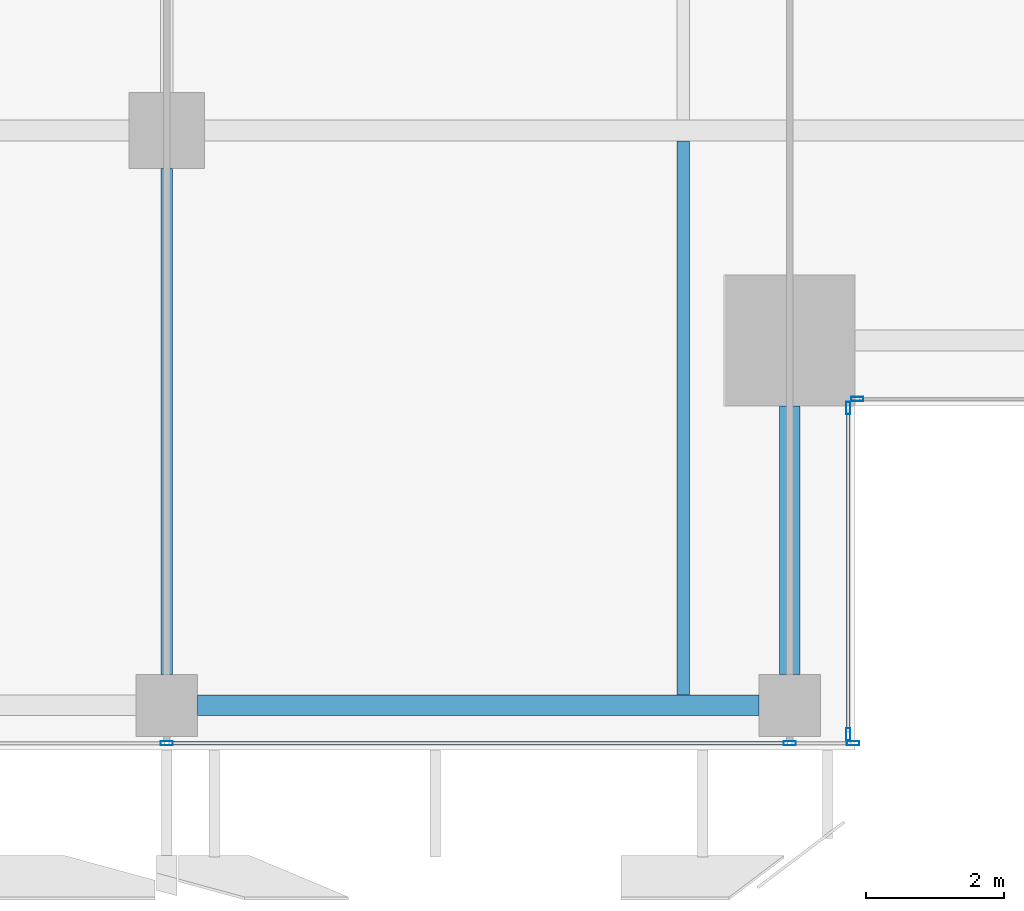
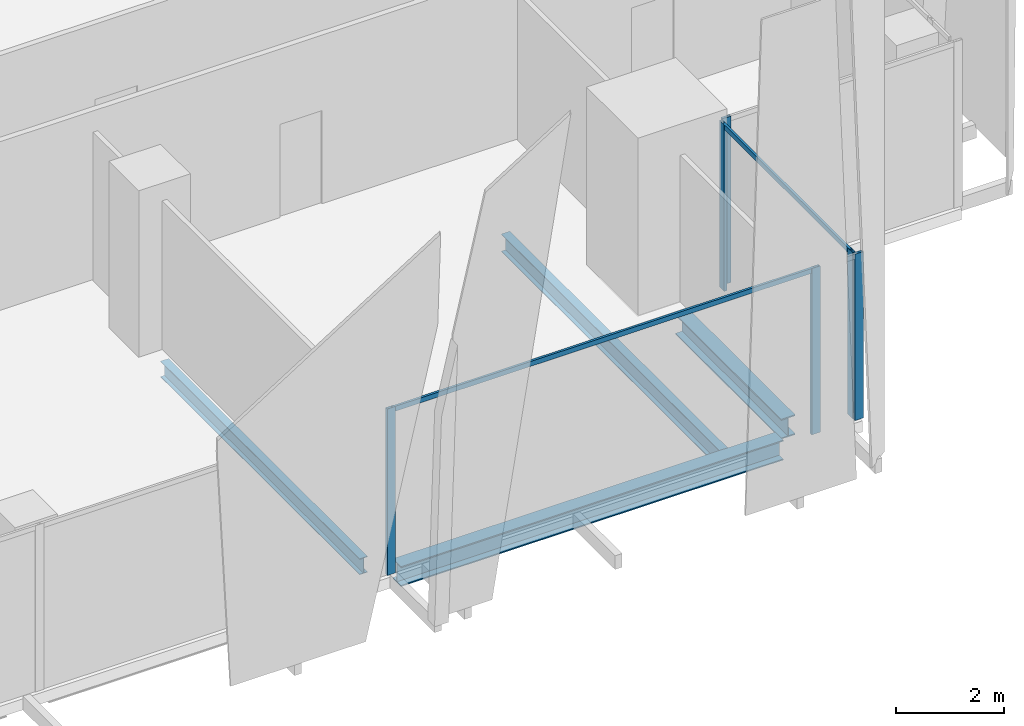
# One storey, part 8 of 33: 8 members, 4 beams, 3 elements without a shape of their own.
"""IFC4 building model written with IfcOpenShell, lengths in metres."""

from ifc_helpers import new_model, si_unit, direction, frame, origin, origin_2d, place, context, subcontext, project, spatial, hollow_rectangle, i_section, extrude, source, transform, mapped, material, material_profile, profile_set, type_object, element, aggregate, save


model = new_model("IFC4")

# Units and contexts
model_context = context("Model", 3, precision=1e-05, world=origin(), true_north=direction((0.0, 1.0)))
body_context = subcontext(model_context, "Body", "Model", "MODEL_VIEW")
ifc_project = project(units=[si_unit("LENGTHUNIT", "METRE"), si_unit("AREAUNIT", "SQUARE_METRE"), si_unit("VOLUMEUNIT", "CUBIC_METRE"), si_unit("PLANEANGLEUNIT", "RADIAN"), si_unit("MASSUNIT", "GRAM", prefix="KILO")], contexts=[model_context])

# Site, building, storey
site_placement = place(None, origin())
site = spatial("IfcSite", under=ifc_project, at=site_placement, CompositionType="ELEMENT")
building_placement = place(site_placement, origin())
building = spatial("IfcBuilding", under=site, at=building_placement, Name="Khomas Fold Tower", CompositionType="ELEMENT")
storey_placement = place(building_placement, frame((0.0, 0.0, 234.199951171875)))
storey = spatial("IfcBuildingStorey", under=building, at=storey_placement, Name="L52", CompositionType="ELEMENT", Elevation=234.199951171875)

# Beams
ifc_material_1 = material(Name="Steel S355", Category="steel")
ifc_material_profile_1 = material_profile(ifc_material_1, i_section(OverallWidth=0.300048828125, OverallDepth=0.449951171875, WebThickness=0.013916015625, FlangeThickness=0.02587890625, at=origin_2d()), Name="HE 450 B")
ifc_profile_set_1 = profile_set([ifc_material_profile_1], Name="Steel S355")
beam_type_1 = type_object("IfcBeamType", Name="HE 450 B spandrel SB4", PredefinedType="SPANDREL", material=ifc_profile_set_1)
shared_shape_1 = source(origin(), body_context, "Body", "SweptSolid", [
    extrude(i_section(OverallWidth=0.300048828125, OverallDepth=0.449951171875, WebThickness=0.013916015625, FlangeThickness=0.02587890625, at=origin_2d()), origin(), (0.0, 0.0, 1.0), 8.150146484375),
])
beam_1_placement = place(storey_placement, frame((34.949951171875, 5.14990234375, -0.474853515625), z_axis=(1.0, 0.0, 0.0), x_axis=(0.0, 1.0, 0.0)))
element("IfcBeam", 1, at=beam_1_placement, inside=storey, type_object=beam_type_1, Name="SB4", PredefinedType="SPANDREL", context=body_context, shape_type="MappedRepresentation", body=[
    mapped(shared_shape_1, transform((0.0, 0.0, 0.0))),
])
shared_shape_2 = source(origin(), body_context, "Body", "SweptSolid", [
    extrude(i_section(OverallWidth=0.300048828125, OverallDepth=0.449951171875, WebThickness=0.013916015625, FlangeThickness=0.02587890625, at=origin_2d()), origin(), (0.0, 0.0, 1.0), 3.89990234375),
])
beam_2_placement = place(storey_placement, frame((43.550048828125, 5.60009765625, -0.474853515625), z_axis=(0.0, 1.0, 0.0), x_axis=(-1.0, 0.0, 0.0)))
element("IfcBeam", 2, at=beam_2_placement, inside=storey, type_object=beam_type_1, Name="SB4", PredefinedType="SPANDREL", context=body_context, shape_type="MappedRepresentation", body=[
    mapped(shared_shape_2, transform((0.0, 0.0, 0.0))),
])
ifc_material_2 = material(Name="Steel S355", Category="steel")
ifc_material_profile_2 = material_profile(ifc_material_2, i_section(OverallWidth=0.179931640625, OverallDepth=0.39990234375, WebThickness=0.008544921875, FlangeThickness=0.013427734375, at=origin_2d()), Name="IPE 400")
ifc_profile_set_2 = profile_set([ifc_material_profile_2], Name="Steel S355")
beam_type_2 = type_object("IfcBeamType", Name="IPE 400 beam JB3", PredefinedType="BEAM", material=ifc_profile_set_2)
shared_shape_3 = source(origin(), body_context, "Body", "SweptSolid", [
    extrude(i_section(OverallWidth=0.179931640625, OverallDepth=0.39990234375, WebThickness=0.008544921875, FlangeThickness=0.013427734375, at=origin_2d()), origin(), (0.0, 0.0, 1.0), 8.050048828125),
])
beam_3_placement = place(storey_placement, frame((42.0, 5.300048828125, -0.449951171875), z_axis=(0.0, 1.0, 0.0), x_axis=(-1.0, 0.0, 0.0)))
element("IfcBeam", 3, at=beam_3_placement, inside=storey, type_object=beam_type_2, Name="JB3", PredefinedType="BEAM", context=body_context, shape_type="MappedRepresentation", body=[
    mapped(shared_shape_3, transform((0.0, 0.0, 0.0))),
])
ifc_material_3 = material(Name="Steel S355", Category="steel")
ifc_material_profile_3 = material_profile(ifc_material_3, i_section(OverallWidth=0.169921875, OverallDepth=0.360107421875, WebThickness=0.008056640625, FlangeThickness=0.0126953125, at=origin_2d()), Name="IPE 360")
ifc_profile_set_3 = profile_set([ifc_material_profile_3], Name="Steel S355")
beam_type_3 = type_object("IfcBeamType", Name="IPE 360 beam JB2", PredefinedType="BEAM", material=ifc_profile_set_3)
shared_shape_4 = source(origin(), body_context, "Body", "SweptSolid", [
    extrude(i_section(OverallWidth=0.169921875, OverallDepth=0.360107421875, WebThickness=0.008056640625, FlangeThickness=0.0126953125, at=origin_2d()), origin(), (0.0, 0.0, 1.0), 7.349853515625),
])
beam_4_placement = place(storey_placement, frame((34.5, 5.60009765625, -0.429931640625), z_axis=(0.0, 1.0, 0.0), x_axis=(-1.0, 0.0, 0.0)))
element("IfcBeam", 4, at=beam_4_placement, inside=storey, type_object=beam_type_3, Name="JB2", PredefinedType="BEAM", context=body_context, shape_type="MappedRepresentation", body=[
    mapped(shared_shape_4, transform((0.0, 0.0, 0.0))),
])

# Curtain wall, members
ifc_material_4 = material(Name="Aluminium framed double glazing", Category="aluminium")
curtain_wall_type = type_object("IfcCurtainWallType", Name="SK-Unitised clear-glass wall, office floors CW2", PredefinedType="NOTDEFINED", material=ifc_material_4)
curtain_wall_1_placement = place(storey_placement, origin())
curtain_wall_1 = element("IfcCurtainWall", 5, at=curtain_wall_1_placement, inside=storey, type_object=curtain_wall_type, Name="CW2 run L52 00-0", PredefinedType="NOTDEFINED")
ifc_material_5 = material(Name="Aluminium", Category="aluminium")
ifc_material_profile_4 = material_profile(ifc_material_5, hollow_rectangle(XDim=0.06005859375, YDim=0.179931640625, WallThickness=0.00390625, at=origin_2d()), Name="SK-Unitised clear-glass wall, office floors mullion CW2-M")
ifc_profile_set_4 = profile_set([ifc_material_profile_4], Name="Aluminium")
member_type_1 = type_object("IfcMemberType", Name="SK-Unitised clear-glass wall, office floors mullion CW2-M", PredefinedType="MULLION", material=ifc_profile_set_4)
shared_shape_5 = source(origin(), body_context, "Body", "SweptSolid", [
    extrude(hollow_rectangle(XDim=0.06005859375, YDim=0.179931640625, WallThickness=0.00390625, at=origin_2d()), origin(), (0.0, 0.0, 1.0), 3.75),
])
member_1_placement = place(storey_placement, frame((34.5, 4.60009765625, 0.0), z_axis=(0.0, 0.0, 1.0), x_axis=(0.0, 1.0, 0.0)))
member_1 = element("IfcMember", 6, at=member_1_placement, type_object=member_type_1, Name="CW2 mullion 5", PredefinedType="MULLION", context=body_context, shape_type="MappedRepresentation", body=[
    mapped(shared_shape_5, transform((0.0, 0.0, 0.0))),
])
member_2_placement = place(storey_placement, frame((43.550048828125, 4.60009765625, 0.0), z_axis=(0.0, 0.0, 1.0), x_axis=(0.0, 1.0, 0.0)))
member_2 = element("IfcMember", 7, at=member_2_placement, type_object=member_type_1, Name="CW2 mullion 6", PredefinedType="MULLION", context=body_context, shape_type="MappedRepresentation", body=[
    mapped(shared_shape_5, transform((0.0, 0.0, 0.0))),
])
member_3_placement = place(storey_placement, frame((44.469970703125, 4.60009765625, 0.0), z_axis=(0.0, 0.0, 1.0), x_axis=(0.0, 1.0, 0.0)))
member_3 = element("IfcMember", 8, at=member_3_placement, type_object=member_type_1, Name="CW2 mullion 7", PredefinedType="MULLION", context=body_context, shape_type="MappedRepresentation", body=[
    mapped(shared_shape_5, transform((0.0, 0.0, 0.0))),
])

curtain_wall_2_placement = place(storey_placement, origin())
curtain_wall_2 = element("IfcCurtainWall", 9, at=curtain_wall_2_placement, inside=storey, type_object=curtain_wall_type, Name="CW2 corner return L52 01", PredefinedType="NOTDEFINED")
member_4_placement = place(storey_placement, frame((44.39990234375, 4.72998046875, 0.0), z_axis=(0.0, 0.0, 1.0), x_axis=(-1.0, 0.0, 0.0)))
member_4 = element("IfcMember", 10, at=member_4_placement, type_object=member_type_1, Name="CW2 mullion 1", PredefinedType="MULLION", context=body_context, shape_type="MappedRepresentation", body=[
    mapped(shared_shape_5, transform((0.0, 0.0, 0.0))),
])
member_5_placement = place(storey_placement, frame((44.39990234375, 9.469970703125, 0.0), z_axis=(0.0, 0.0, 1.0), x_axis=(-1.0, 0.0, 0.0)))
member_5 = element("IfcMember", 11, at=member_5_placement, type_object=member_type_1, Name="CW2 mullion 2", PredefinedType="MULLION", context=body_context, shape_type="MappedRepresentation", body=[
    mapped(shared_shape_5, transform((0.0, 0.0, 0.0))),
])

# Curtain wall, member
curtain_wall_3_placement = place(storey_placement, origin())
curtain_wall_3 = element("IfcCurtainWall", 12, at=curtain_wall_3_placement, inside=storey, type_object=curtain_wall_type, Name="CW2 corner return L52 02", PredefinedType="NOTDEFINED")
member_6_placement = place(storey_placement, frame((44.530029296875, 9.60009765625, 0.0), z_axis=(0.0, 0.0, 1.0), x_axis=(0.0, 1.0, 0.0)))
member_6 = element("IfcMember", 13, at=member_6_placement, type_object=member_type_1, Name="CW2 mullion 1", PredefinedType="MULLION", context=body_context, shape_type="MappedRepresentation", body=[
    mapped(shared_shape_5, transform((0.0, 0.0, 0.0))),
])
aggregate(curtain_wall_3, [member_6])

# Member
ifc_material_6 = material(Name="Aluminium", Category="aluminium")
ifc_material_profile_5 = material_profile(ifc_material_6, hollow_rectangle(XDim=0.050048828125, YDim=0.110107421875, WallThickness=0.00390625, at=origin_2d()), Name="SK-Unitised clear-glass wall, office floors transom CW2-T")
ifc_profile_set_5 = profile_set([ifc_material_profile_5], Name="Aluminium")
member_type_2 = type_object("IfcMemberType", Name="SK-Unitised clear-glass wall, office floors transom CW2-T", PredefinedType="USERDEFINED", material=ifc_profile_set_5)
shared_shape_6 = source(origin(), body_context, "Body", "SweptSolid", [
    extrude(hollow_rectangle(XDim=0.050048828125, YDim=0.110107421875, WallThickness=0.00390625, at=origin_2d()), origin(), (0.0, 0.0, 1.0), 8.989990234375),
])
member_7_placement = place(storey_placement, frame((34.530029296875, 4.60009765625, 3.695068359375), z_axis=(1.0, 0.0, 0.0), x_axis=(0.0, 1.0, 0.0)))
member_7 = element("IfcMember", 14, at=member_7_placement, type_object=member_type_2, Name="CW2 transom 5", ObjectType="TRANSOM", PredefinedType="USERDEFINED", context=body_context, shape_type="MappedRepresentation", body=[
    mapped(shared_shape_6, transform((0.0, 0.0, 0.0))),
])

aggregate(curtain_wall_1, [member_1, member_2, member_3, member_7])

shared_shape_7 = source(origin(), body_context, "Body", "SweptSolid", [
    extrude(hollow_rectangle(XDim=0.050048828125, YDim=0.110107421875, WallThickness=0.00390625, at=origin_2d()), origin(), (0.0, 0.0, 1.0), 4.679931640625),
])
member_8_placement = place(storey_placement, frame((44.39990234375, 4.760009765625, 3.695068359375), z_axis=(0.0, 1.0, 0.0), x_axis=(-1.0, 0.0, 0.0)))
member_8 = element("IfcMember", 15, at=member_8_placement, type_object=member_type_2, Name="CW2 transom 1", ObjectType="TRANSOM", PredefinedType="USERDEFINED", context=body_context, shape_type="MappedRepresentation", body=[
    mapped(shared_shape_7, transform((0.0, 0.0, 0.0))),
])

aggregate(curtain_wall_2, [member_4, member_5, member_8])

save(model, "model.ifc")
